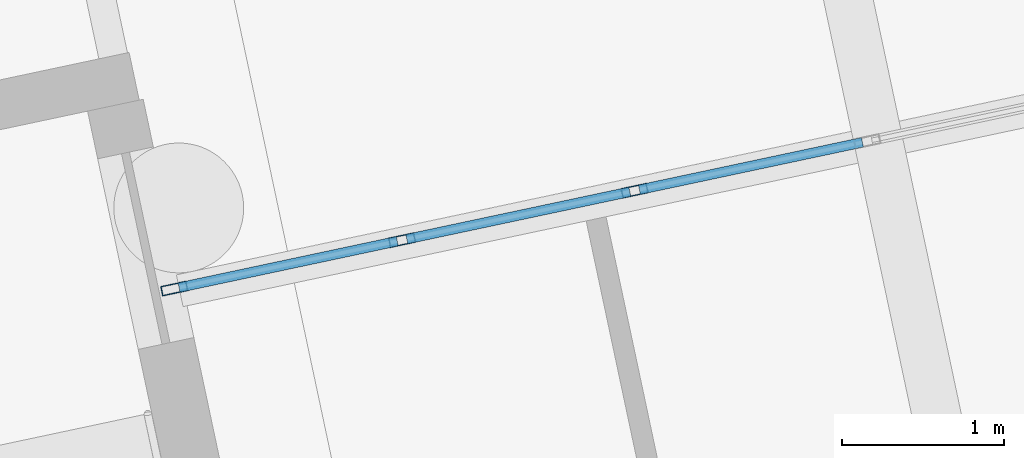
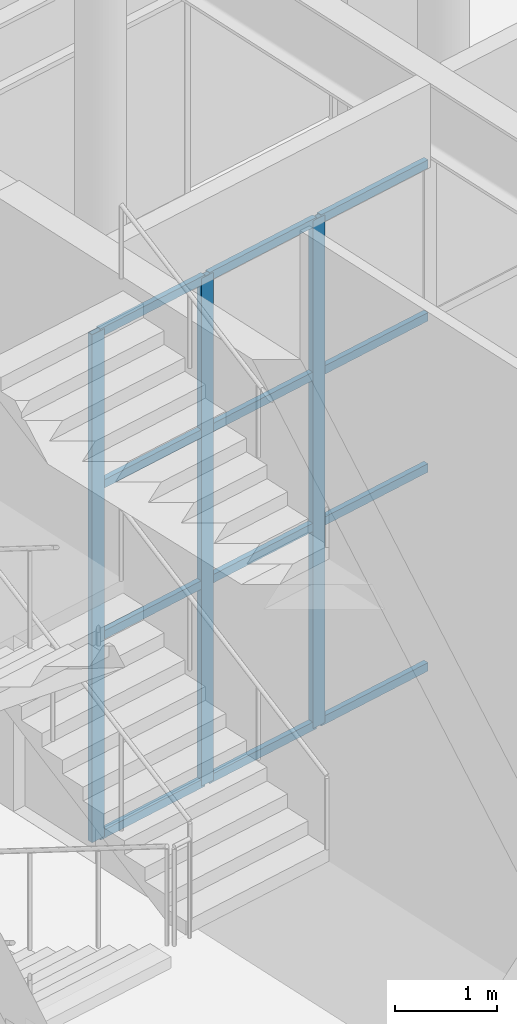
# One storey, part 106 of 239: 15 members, 1 element without a shape of its own.
"""IFC4 building model written with IfcOpenShell, lengths in metres."""

from ifc_helpers import new_model, si_unit, direction, frame, origin, origin_2d, place, context, subcontext, project, spatial, hollow_rectangle, extrude, material, material_profile, profile_set, type_object, element, aggregate, save


model = new_model("IFC4")

# Units and contexts
model_context = context("Model", 3, precision=1e-05, world=origin(), true_north=direction((0.0, 1.0)))
body_context = subcontext(model_context, "Body", "Model", "MODEL_VIEW")
ifc_project = project(units=[si_unit("LENGTHUNIT", "METRE"), si_unit("AREAUNIT", "SQUARE_METRE"), si_unit("VOLUMEUNIT", "CUBIC_METRE"), si_unit("PLANEANGLEUNIT", "RADIAN"), si_unit("MASSUNIT", "GRAM", prefix="KILO")], contexts=[model_context])

# Site, building, storey
site_placement = place(None, origin())
site = spatial("IfcSite", under=ifc_project, at=site_placement, CompositionType="ELEMENT")
building_placement = place(site_placement, origin())
building = spatial("IfcBuilding", under=site, at=building_placement, Name="Okhra Congress Centre", CompositionType="ELEMENT")
storey_placement = place(building_placement, origin())
storey = spatial("IfcBuildingStorey", under=building, at=storey_placement, Name="L00", CompositionType="ELEMENT", Elevation=0.0)

# Curtain wall, members
ifc_material_1 = material(Name="Aluminium curtain wall, triple glazing", Category="aluminium")
curtain_wall_type = type_object("IfcCurtainWallType", Name="Curtain wall 1500 module", PredefinedType="NOTDEFINED", material=ifc_material_1)
curtain_wall_placement = place(storey_placement, origin())
curtain_wall = element("IfcCurtainWall", 1, at=curtain_wall_placement, inside=storey, type_object=curtain_wall_type, Name="Ground curtain wall N10", PredefinedType="NOTDEFINED")
ifc_material_2 = material(Name="Aluminium alloy EN AW-6063 T66", Category="aluminium")
ifc_material_profile_1 = material_profile(ifc_material_2, hollow_rectangle(XDim=0.06005859375, YDim=0.159912109375, WallThickness=0.00390625, at=origin_2d()), Name="RHS 60x160x4")
ifc_profile_set_1 = profile_set([ifc_material_profile_1], Name="Aluminium alloy EN AW-6063 T66")
member_type_1 = type_object("IfcMemberType", Name="Curtain wall mullion 60x160", PredefinedType="MULLION", material=ifc_profile_set_1)
member_1_placement = place(storey_placement, frame((180.345703125, 71.747314453125, 0.0), z_axis=(0.0, 0.0, 1.0), x_axis=(-0.207911690818, 0.978147600734, 0.0)))
member_1 = element("IfcMember", 2, at=member_1_placement, type_object=member_type_1, Name="CW7 mullion 1", PredefinedType="MULLION", context=body_context, shape_type="SweptSolid", body=[
    extrude(hollow_rectangle(XDim=0.06005859375, YDim=0.159912109375, WallThickness=0.00390625, at=origin_2d()), origin(), (0.0, 0.0, 1.0), 6.050048828125),
])
member_2_placement = place(storey_placement, frame((181.748291015625, 72.04541015625, 0.0), z_axis=(0.0, 0.0, 1.0), x_axis=(-0.207911690818, 0.978147600734, 0.0)))
member_2 = element("IfcMember", 3, at=member_2_placement, type_object=member_type_1, Name="CW7 mullion 2", PredefinedType="MULLION", context=body_context, shape_type="SweptSolid", body=[
    extrude(hollow_rectangle(XDim=0.06005859375, YDim=0.159912109375, WallThickness=0.00390625, at=origin_2d()), origin(), (0.0, 0.0, 1.0), 6.050048828125),
])
member_3_placement = place(storey_placement, frame((183.18017578125, 72.349853515625, 0.0), z_axis=(0.0, 0.0, 1.0), x_axis=(-0.207911690818, 0.978147600734, 0.0)))
member_3 = element("IfcMember", 4, at=member_3_placement, type_object=member_type_1, Name="CW7 mullion 3", PredefinedType="MULLION", context=body_context, shape_type="SweptSolid", body=[
    extrude(hollow_rectangle(XDim=0.06005859375, YDim=0.159912109375, WallThickness=0.00390625, at=origin_2d()), origin(), (0.0, 0.0, 1.0), 6.050048828125),
])
ifc_material_profile_2 = material_profile(ifc_material_2, hollow_rectangle(XDim=0.06005859375, YDim=0.10009765625, WallThickness=0.00390625, at=origin_2d()), Name="RHS 60x100x4")
ifc_profile_set_2 = profile_set([ifc_material_profile_2], Name="Aluminium alloy EN AW-6063 T66")
member_type_2 = type_object("IfcMemberType", Name="Curtain wall transom 60x100", PredefinedType="USERDEFINED", material=ifc_profile_set_2)
member_4_placement = place(storey_placement, frame((180.375, 71.75341796875, 0.030029296875), z_axis=(0.978115931365, 0.208060627725, 0.0), x_axis=(-0.208060627725, 0.978115931365, 0.0)))
member_4 = element("IfcMember", 5, at=member_4_placement, type_object=member_type_2, Name="CW7 transom 1.1", ObjectType="TRANSOM", PredefinedType="USERDEFINED", context=body_context, shape_type="SweptSolid", body=[
    extrude(hollow_rectangle(XDim=0.06005859375, YDim=0.10009765625, WallThickness=0.00390625, at=origin_2d()), origin(), (0.0, 0.0, 1.0), 1.3740234375),
])
member_5_placement = place(storey_placement, frame((180.375, 71.75341796875, 2.39990234375), z_axis=(0.978115931365, 0.208060627725, 0.0), x_axis=(-0.208060627725, 0.978115931365, 0.0)))
member_5 = element("IfcMember", 6, at=member_5_placement, type_object=member_type_2, Name="CW7 transom 1.2", ObjectType="TRANSOM", PredefinedType="USERDEFINED", context=body_context, shape_type="SweptSolid", body=[
    extrude(hollow_rectangle(XDim=0.06005859375, YDim=0.10009765625, WallThickness=0.00390625, at=origin_2d()), origin(), (0.0, 0.0, 1.0), 1.3740234375),
])
member_6_placement = place(storey_placement, frame((180.375, 71.75341796875, 4.199951171875), z_axis=(0.978115931365, 0.208060627725, 0.0), x_axis=(-0.208060627725, 0.978115931365, 0.0)))
member_6 = element("IfcMember", 7, at=member_6_placement, type_object=member_type_2, Name="CW7 transom 1.3", ObjectType="TRANSOM", PredefinedType="USERDEFINED", context=body_context, shape_type="SweptSolid", body=[
    extrude(hollow_rectangle(XDim=0.06005859375, YDim=0.10009765625, WallThickness=0.00390625, at=origin_2d()), origin(), (0.0, 0.0, 1.0), 1.3740234375),
])
member_7_placement = place(storey_placement, frame((180.375, 71.75341796875, 6.02001953125), z_axis=(0.978115931365, 0.208060627725, 0.0), x_axis=(-0.208060627725, 0.978115931365, 0.0)))
member_7 = element("IfcMember", 8, at=member_7_placement, type_object=member_type_2, Name="CW7 transom 1.4", ObjectType="TRANSOM", PredefinedType="USERDEFINED", context=body_context, shape_type="SweptSolid", body=[
    extrude(hollow_rectangle(XDim=0.06005859375, YDim=0.10009765625, WallThickness=0.00390625, at=origin_2d()), origin(), (0.0, 0.0, 1.0), 1.3740234375),
])
member_8_placement = place(storey_placement, frame((181.777587890625, 72.0517578125, 0.030029296875), z_axis=(0.978169898448, 0.207806760648, 0.0), x_axis=(-0.207806760648, 0.978169898448, 0.0)))
member_8 = element("IfcMember", 9, at=member_8_placement, type_object=member_type_2, Name="CW7 transom 2.1", ObjectType="TRANSOM", PredefinedType="USERDEFINED", context=body_context, shape_type="SweptSolid", body=[
    extrude(hollow_rectangle(XDim=0.06005859375, YDim=0.10009765625, WallThickness=0.00390625, at=origin_2d()), origin(), (0.0, 0.0, 1.0), 1.404052734375),
])
member_9_placement = place(storey_placement, frame((181.777587890625, 72.0517578125, 2.39990234375), z_axis=(0.978169898448, 0.207806760648, 0.0), x_axis=(-0.207806760648, 0.978169898448, 0.0)))
member_9 = element("IfcMember", 10, at=member_9_placement, type_object=member_type_2, Name="CW7 transom 2.2", ObjectType="TRANSOM", PredefinedType="USERDEFINED", context=body_context, shape_type="SweptSolid", body=[
    extrude(hollow_rectangle(XDim=0.06005859375, YDim=0.10009765625, WallThickness=0.00390625, at=origin_2d()), origin(), (0.0, 0.0, 1.0), 1.404052734375),
])
member_10_placement = place(storey_placement, frame((181.777587890625, 72.0517578125, 4.199951171875), z_axis=(0.978169898448, 0.207806760648, 0.0), x_axis=(-0.207806760648, 0.978169898448, 0.0)))
member_10 = element("IfcMember", 11, at=member_10_placement, type_object=member_type_2, Name="CW7 transom 2.3", ObjectType="TRANSOM", PredefinedType="USERDEFINED", context=body_context, shape_type="SweptSolid", body=[
    extrude(hollow_rectangle(XDim=0.06005859375, YDim=0.10009765625, WallThickness=0.00390625, at=origin_2d()), origin(), (0.0, 0.0, 1.0), 1.404052734375),
])
member_11_placement = place(storey_placement, frame((181.777587890625, 72.0517578125, 6.02001953125), z_axis=(0.978169898448, 0.207806760648, 0.0), x_axis=(-0.207806760648, 0.978169898448, 0.0)))
member_11 = element("IfcMember", 12, at=member_11_placement, type_object=member_type_2, Name="CW7 transom 2.4", ObjectType="TRANSOM", PredefinedType="USERDEFINED", context=body_context, shape_type="SweptSolid", body=[
    extrude(hollow_rectangle(XDim=0.06005859375, YDim=0.10009765625, WallThickness=0.00390625, at=origin_2d()), origin(), (0.0, 0.0, 1.0), 1.404052734375),
])
member_12_placement = place(storey_placement, frame((183.209716796875, 72.35595703125, 0.030029296875), z_axis=(0.978134537503, 0.207973138996, 0.0), x_axis=(-0.207973138996, 0.978134537503, 0.0)))
member_12 = element("IfcMember", 13, at=member_12_placement, type_object=member_type_2, Name="CW7 transom 3.1", ObjectType="TRANSOM", PredefinedType="USERDEFINED", context=body_context, shape_type="SweptSolid", body=[
    extrude(hollow_rectangle(XDim=0.06005859375, YDim=0.10009765625, WallThickness=0.00390625, at=origin_2d()), origin(), (0.0, 0.0, 1.0), 1.404052734375),
])
member_13_placement = place(storey_placement, frame((183.209716796875, 72.35595703125, 2.39990234375), z_axis=(0.978134537503, 0.207973138996, 0.0), x_axis=(-0.207973138996, 0.978134537503, 0.0)))
member_13 = element("IfcMember", 14, at=member_13_placement, type_object=member_type_2, Name="CW7 transom 3.2", ObjectType="TRANSOM", PredefinedType="USERDEFINED", context=body_context, shape_type="SweptSolid", body=[
    extrude(hollow_rectangle(XDim=0.06005859375, YDim=0.10009765625, WallThickness=0.00390625, at=origin_2d()), origin(), (0.0, 0.0, 1.0), 1.404052734375),
])
member_14_placement = place(storey_placement, frame((183.209716796875, 72.35595703125, 4.199951171875), z_axis=(0.978134537503, 0.207973138996, 0.0), x_axis=(-0.207973138996, 0.978134537503, 0.0)))
member_14 = element("IfcMember", 15, at=member_14_placement, type_object=member_type_2, Name="CW7 transom 3.3", ObjectType="TRANSOM", PredefinedType="USERDEFINED", context=body_context, shape_type="SweptSolid", body=[
    extrude(hollow_rectangle(XDim=0.06005859375, YDim=0.10009765625, WallThickness=0.00390625, at=origin_2d()), origin(), (0.0, 0.0, 1.0), 1.404052734375),
])
member_15_placement = place(storey_placement, frame((183.209716796875, 72.35595703125, 6.02001953125), z_axis=(0.978134537503, 0.207973138996, 0.0), x_axis=(-0.207973138996, 0.978134537503, 0.0)))
member_15 = element("IfcMember", 16, at=member_15_placement, type_object=member_type_2, Name="CW7 transom 3.4", ObjectType="TRANSOM", PredefinedType="USERDEFINED", context=body_context, shape_type="SweptSolid", body=[
    extrude(hollow_rectangle(XDim=0.06005859375, YDim=0.10009765625, WallThickness=0.00390625, at=origin_2d()), origin(), (0.0, 0.0, 1.0), 1.404052734375),
])
aggregate(curtain_wall, [member_1, member_2, member_3, member_4, member_5, member_6, member_7, member_8, member_9, member_10, member_11, member_12, member_13, member_14, member_15])

save(model, "model.ifc")
